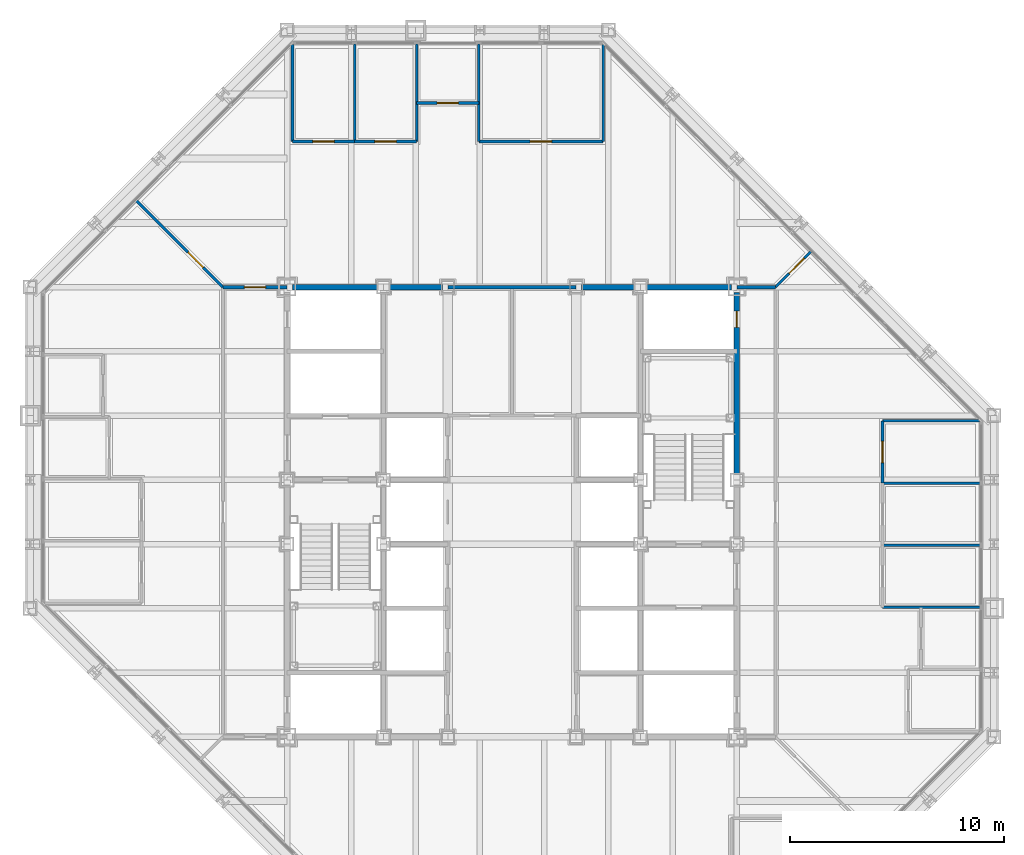
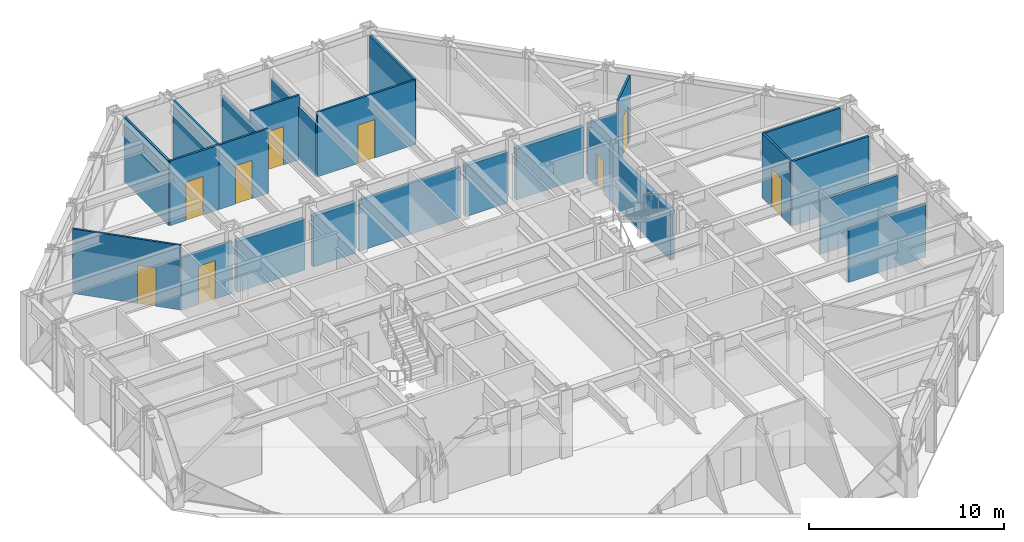
# One storey, part 12 of 15: 24 walls, 9 doors, 9 openings.
"""IFC4 building model written with IfcOpenShell, lengths in metres."""

from ifc_helpers import new_model, si_unit, direction, frame, frame_2d, origin, place, context, subcontext, project, spatial, rectangle, extrude, material, layer, layer_set, type_object, element, fill, save


model = new_model("IFC4")

# Units and contexts
model_context = context("Model", 3, precision=1e-05, world=origin(), true_north=direction((0.0, 1.0)))
body_context = subcontext(model_context, "Body", "Model", "MODEL_VIEW")
ifc_project = project(units=[si_unit("LENGTHUNIT", "METRE"), si_unit("AREAUNIT", "SQUARE_METRE"), si_unit("VOLUMEUNIT", "CUBIC_METRE"), si_unit("PLANEANGLEUNIT", "RADIAN"), si_unit("MASSUNIT", "GRAM", prefix="KILO")], contexts=[model_context])

# Site, building, storey
site_placement = place(None, origin())
site = spatial("IfcSite", under=ifc_project, at=site_placement, CompositionType="ELEMENT")
building_placement = place(site_placement, origin())
building = spatial("IfcBuilding", under=site, at=building_placement, Name="Chuquiago Exchange Tower", CompositionType="ELEMENT")
storey_placement = place(building_placement, frame((0.0, 0.0, 184.5)))
storey = spatial("IfcBuildingStorey", under=building, at=storey_placement, Name="L40", CompositionType="ELEMENT", Elevation=184.5)

# Walls
ifc_material_1 = material(Name="Concrete masonry, fully grouted", Category="masonry")
ifc_layer_1 = layer(ifc_material_1, 0.25)
ifc_layer_set_1 = layer_set([ifc_layer_1], Name="W1 core wall 250")
wall_type_1 = type_object("IfcWallType", Name="W1 core wall 250", PredefinedType="SOLIDWALL", material=ifc_layer_set_1)
wall_1_placement = place(storey_placement, frame((12.25, 33.0, 0.0), z_axis=(0.0, 0.0, 1.0), x_axis=(1.0, 0.0, 0.0)))
element("IfcWall", 1, at=wall_1_placement, inside=storey, type_object=wall_type_1, Name="CW-L40-11-0", PredefinedType="SOLIDWALL", context=body_context, shape_type="SweptSolid", body=[
    extrude(rectangle(XDim=4.0, YDim=0.25, at=frame_2d((2.0, 0.0))), origin(), (0.0, 0.0, 1.0), 3.181396484375),
])
for number, where, z_axis, x_axis, name in (
    (2, (16.75, 33.0, 0.0), (0.0, 0.0, 1.0), (1.0, 0.0, 0.0), "CW-L40-11-1"),
    (3, (25.75, 33.0, 0.0), (0.0, 0.0, 1.0), (1.0, 0.0, 0.0), "CW-L40-12-0"),
):
    element("IfcWall", number, at=place(storey_placement, frame(where, z_axis=z_axis, x_axis=x_axis)), inside=storey, type_object=wall_type_1, Name=name, PredefinedType="SOLIDWALL", context=body_context, shape_type="SweptSolid", body=[
        extrude(rectangle(XDim=2.5, YDim=0.25, at=frame_2d((1.25, 0.0))), origin(), (0.0, 0.0, 1.0), 3.181396484375),
    ])
wall_2_placement = place(storey_placement, frame((28.75, 33.0, 0.0), z_axis=(0.0, 0.0, 1.0), x_axis=(1.0, 0.0, 0.0)))
element("IfcWall", 4, at=wall_2_placement, inside=storey, type_object=wall_type_1, Name="CW-L40-12-1", PredefinedType="SOLIDWALL", context=body_context, shape_type="SweptSolid", body=[
    extrude(rectangle(XDim=4.0, YDim=0.25, at=frame_2d((2.0, 0.0))), origin(), (0.0, 0.0, 1.0), 3.181396484375),
])

# Wall, opening, door
wall_3_placement = place(storey_placement, frame((33.0, 24.25, 0.0), z_axis=(0.0, 0.0, 1.0), x_axis=(0.0, 1.0, 0.0)))
wall_3 = element("IfcWall", 5, at=wall_3_placement, inside=storey, type_object=wall_type_1, Name="CW-L40-25-2", PredefinedType="SOLIDWALL", context=body_context, shape_type="SweptSolid", body=[
    extrude(rectangle(XDim=8.5, YDim=0.25, at=frame_2d((4.25, 0.0))), origin(), (0.0, 0.0, 1.0), 3.11279296875),
])
opening_1_placement = place(wall_3_placement, frame((6.875, 0.0, 0.0)))
opening_1 = element("IfcOpeningElement", 6, at=opening_1_placement, cuts=wall_3, Name="Opening L40-010", PredefinedType="OPENING", context=body_context, shape_type="SweptSolid", body=[
    extrude(rectangle(XDim=0.75, YDim=2.10009765625, at=frame_2d((0.375, 1.050048828125))), frame((0.0, 0.135009765625, 0.0), z_axis=(0.0, -1.0, 0.0), x_axis=(1.0, 0.0, 0.0)), (0.0, 0.0, 1.0), 0.27001953125),
])
ifc_material_2 = material(Name="Steel door, painted", Category="steel")
door_type_1 = type_object("IfcDoorType", Name="D6 riser access door 750x2100", OperationType="SINGLE_SWING_LEFT", PredefinedType="DOOR", material=ifc_material_2)
door_1_placement = place(opening_1_placement, frame((0.75, 0.0, 0.0), z_axis=(0.0, 0.0, 1.0), x_axis=(-1.0, 0.0, 0.0)))
door_1 = element("IfcDoor", 7, at=door_1_placement, inside=storey, type_object=door_type_1, Name="Riser RE2 door", OperationType="SINGLE_SWING_LEFT", OverallHeight=2.10009765625, OverallWidth=0.75, PredefinedType="DOOR", context=body_context, shape_type="SweptSolid", body=[
    extrude(rectangle(XDim=0.75, YDim=2.10009765625, at=frame_2d((0.375, 1.050048828125))), frame((0.0, 0.02490234375, 0.0), z_axis=(0.0, -1.0, 0.0), x_axis=(1.0, 0.0, 0.0)), (0.0, 0.0, 1.0), 0.050048828125),
])
fill(opening_1, door_1)

ifc_material_3 = material(Name="Gypsum board on steel studs, acoustic insulation", Category="steel")
ifc_layer_2 = layer(ifc_material_3, 0.14990234375)
ifc_layer_set_2 = layer_set([ifc_layer_2], Name="W11 corridor wall 150")
wall_type_2 = type_object("IfcWallType", Name="W11 corridor wall 150", PredefinedType="PARTITIONING", material=ifc_layer_set_2)
wall_4_placement = place(storey_placement, frame((9.0, 33.0, 0.0), z_axis=(0.0, 0.0, 1.0), x_axis=(1.0, 0.0, 0.0)))
wall_4 = element("IfcWall", 8, at=wall_4_placement, inside=storey, type_object=wall_type_2, Name="PW-L40-GWN0", PredefinedType="PARTITIONING", context=body_context, shape_type="SweptSolid", body=[
    extrude(rectangle(XDim=3.0, YDim=0.14990234375, at=frame_2d((1.5, 0.0))), origin(), (0.0, 0.0, 1.0), 3.2705078125),
])
opening_2_placement = place(wall_4_placement, frame((1.0, 0.0, 0.0)))
opening_2 = element("IfcOpeningElement", 9, at=opening_2_placement, cuts=wall_4, Name="Opening L40-038", PredefinedType="OPENING", context=body_context, shape_type="SweptSolid", body=[
    extrude(rectangle(XDim=1.0, YDim=2.39990234375, at=frame_2d((0.5, 1.199951171875))), frame((0.0, 0.0849609375, 0.0), z_axis=(0.0, -1.0, 0.0), x_axis=(1.0, 0.0, 0.0)), (0.0, 0.0, 1.0), 0.169921875),
])
ifc_material_4 = material(Name="Timber door, laminate faced", Category="wood")
door_type_2 = type_object("IfcDoorType", Name="D9 room door 1000x2400", OperationType="SINGLE_SWING_LEFT", PredefinedType="DOOR", material=ifc_material_4)
door_2_placement = place(opening_2_placement, origin())
door_2 = element("IfcDoor", 10, at=door_2_placement, inside=storey, type_object=door_type_2, Name="Team area door", OperationType="SINGLE_SWING_RIGHT", OverallHeight=2.39990234375, OverallWidth=1.0, PredefinedType="DOOR", context=body_context, shape_type="SweptSolid", body=[
    extrude(rectangle(XDim=1.0, YDim=2.39990234375, at=frame_2d((0.5, 1.199951171875))), frame((0.0, 0.02490234375, 0.0), z_axis=(0.0, -1.0, 0.0), x_axis=(1.0, 0.0, 0.0)), (0.0, 0.0, 1.0), 0.050048828125),
])
fill(opening_2, door_2)

# Walls
wall_5_placement = place(storey_placement, frame((33.0, 33.0, 0.0), z_axis=(0.0, 0.0, 1.0), x_axis=(1.0, 0.0, 0.0)))
element("IfcWall", 11, at=wall_5_placement, inside=storey, type_object=wall_type_2, Name="PW-L40-GEN0", PredefinedType="PARTITIONING", context=body_context, shape_type="SweptSolid", body=[
    extrude(rectangle(XDim=1.800048828125, YDim=0.14990234375, at=frame_2d((0.89990234375, 0.0))), origin(), (0.0, 0.0, 1.0), 3.2705078125),
])
ifc_material_5 = material(Name="Gypsum board on steel studs", Category="steel")
ifc_layer_3 = layer(ifc_material_5, 0.14990234375)
ifc_layer_set_3 = layer_set([ifc_layer_3], Name="W3 core partition 150")
wall_type_3 = type_object("IfcWallType", Name="W3 core partition 150", PredefinedType="PARTITIONING", material=ifc_layer_set_3)
wall_6_placement = place(storey_placement, frame((19.5, 33.0, 0.0), z_axis=(0.0, 0.0, 1.0), x_axis=(1.0, 0.0, 0.0)))
element("IfcWall", 12, at=wall_6_placement, inside=storey, type_object=wall_type_3, Name="CW-L40-TB", PredefinedType="PARTITIONING", context=body_context, shape_type="SweptSolid", body=[
    extrude(rectangle(XDim=6.0, YDim=0.14990234375, at=frame_2d((3.0, 0.0))), origin(), (0.0, 0.0, 1.0), 3.181396484375),
])
ifc_material_6 = material(Name="Gypsum board on steel studs", Category="steel")
ifc_layer_4 = layer(ifc_material_6, 0.1201171875)
ifc_layer_set_4 = layer_set([ifc_layer_4], Name="W4 partition 120")
wall_type_4 = type_object("IfcWallType", Name="W4 partition 120", PredefinedType="PARTITIONING", material=ifc_layer_set_4)
for number, where, z_axis, x_axis, name in (
    (13, (44.347412109375, 18.0498046875, 0.0), (0.0, 0.0, 1.0), (-1.0, 0.0, 0.0), "PW-L40-E01805"),
    (14, (44.347412109375, 20.9501953125, 0.0), (0.0, 0.0, 1.0), (-1.0, 0.0, 0.0), "PW-L40-E02095"),
):
    element("IfcWall", number, at=place(storey_placement, frame(where, z_axis=z_axis, x_axis=x_axis)), inside=storey, type_object=wall_type_4, Name=name, PredefinedType="PARTITIONING", context=body_context, shape_type="SweptSolid", body=[
        extrude(rectangle(XDim=4.54736328125, YDim=0.1201171875, at=frame_2d((2.273681640625, 0.0))), origin(), (0.0, 0.0, 1.0), 3.356689453125),
    ])
wall_7_placement = place(storey_placement, frame((44.347412109375, 23.850830078125, 0.0), z_axis=(0.0, 0.0, 1.0), x_axis=(-1.0, 0.0, 0.0)))
element("IfcWall", 15, at=wall_7_placement, inside=storey, type_object=wall_type_4, Name="PW-L40-E02385", PredefinedType="PARTITIONING", context=body_context, shape_type="SweptSolid", body=[
    extrude(rectangle(XDim=4.54736328125, YDim=0.1201171875, at=frame_2d((2.273681640625, 0.0))), origin(), (0.0, 0.0, 1.0), 4.0400390625),
])
wall_8_placement = place(storey_placement, frame((44.333984375, 26.75146484375, 0.0), z_axis=(0.0, 0.0, 1.0), x_axis=(-1.0, 0.0, 0.0)))
element("IfcWall", 16, at=wall_8_placement, inside=storey, type_object=wall_type_4, Name="PW-L40-E02675", PredefinedType="PARTITIONING", context=body_context, shape_type="SweptSolid", body=[
    extrude(rectangle(XDim=4.533935546875, YDim=0.1201171875, at=frame_2d((2.26708984375, 0.0))), origin(), (0.0, 0.0, 1.0), 4.0400390625),
])

# Wall, opening, door
wall_9_placement = place(storey_placement, frame((39.800048828125, 23.850830078125, 0.0), z_axis=(0.0, 0.0, 1.0), x_axis=(0.0, 1.0, 0.0)))
wall_9 = element("IfcWall", 17, at=wall_9_placement, inside=storey, type_object=wall_type_4, Name="PW-L40-EF02385", PredefinedType="PARTITIONING", context=body_context, shape_type="SweptSolid", body=[
    extrude(rectangle(XDim=2.900634765625, YDim=0.1201171875, at=frame_2d((1.4501953125, 0.0))), origin(), (0.0, 0.0, 1.0), 4.0400390625),
])
opening_3_placement = place(wall_9_placement, frame((0.9501953125, 0.0, 0.0)))
opening_3 = element("IfcOpeningElement", 18, at=opening_3_placement, cuts=wall_9, Name="Opening L40-028", PredefinedType="OPENING", context=body_context, shape_type="SweptSolid", body=[
    extrude(rectangle(XDim=1.0, YDim=2.39990234375, at=frame_2d((0.5, 1.199951171875))), frame((0.0, 0.070068359375, 0.0), z_axis=(0.0, -1.0, 0.0), x_axis=(1.0, 0.0, 0.0)), (0.0, 0.0, 1.0), 0.14013671875),
])
ifc_material_7 = material(Name="Timber frame door, full height glazed panel", Category="wood")
door_type_3 = type_object("IfcDoorType", Name="D14 glazed meeting room door 1000x2400", OperationType="SINGLE_SWING_LEFT", PredefinedType="DOOR", material=ifc_material_7)
door_3_placement = place(opening_3_placement, frame((1.0, 0.0, 0.0), z_axis=(0.0, 0.0, 1.0), x_axis=(-1.0, 0.0, 0.0)))
door_3 = element("IfcDoor", 19, at=door_3_placement, inside=storey, type_object=door_type_3, Name="Meeting room door", OperationType="SINGLE_SWING_RIGHT", OverallHeight=2.39990234375, OverallWidth=1.0, PredefinedType="DOOR", context=body_context, shape_type="SweptSolid", body=[
    extrude(rectangle(XDim=1.0, YDim=2.39990234375, at=frame_2d((0.5, 1.199951171875))), frame((0.0, 0.02490234375, 0.0), z_axis=(0.0, -1.0, 0.0), x_axis=(1.0, 0.0, 0.0)), (0.0, 0.0, 1.0), 0.050048828125),
])
fill(opening_3, door_3)

# Walls
wall_10_placement = place(storey_placement, frame((12.24853515625, 44.333984375, 0.0), z_axis=(0.0, 0.0, 1.0), x_axis=(0.0, -1.0, 0.0)))
element("IfcWall", 20, at=wall_10_placement, inside=storey, type_object=wall_type_4, Name="PW-L40-N01225", PredefinedType="PARTITIONING", context=body_context, shape_type="SweptSolid", body=[
    extrude(rectangle(XDim=4.533935546875, YDim=0.1201171875, at=frame_2d((2.26708984375, 0.0))), origin(), (0.0, 0.0, 1.0), 4.0400390625),
])
wall_11_placement = place(storey_placement, frame((15.149169921875, 44.347412109375, 0.0), z_axis=(0.0, 0.0, 1.0), x_axis=(0.0, -1.0, 0.0)))
element("IfcWall", 21, at=wall_11_placement, inside=storey, type_object=wall_type_4, Name="PW-L40-N01515", PredefinedType="PARTITIONING", context=body_context, shape_type="SweptSolid", body=[
    extrude(rectangle(XDim=4.54736328125, YDim=0.1201171875, at=frame_2d((2.273681640625, 0.0))), origin(), (0.0, 0.0, 1.0), 4.0400390625),
])
for number, where, z_axis, x_axis, name in (
    (22, (18.0498046875, 44.347412109375, 0.0), (0.0, 0.0, 1.0), (0.0, -1.0, 0.0), "PW-L40-N01805"),
    (23, (20.9501953125, 44.347412109375, 0.0), (0.0, 0.0, 1.0), (0.0, -1.0, 0.0), "PW-L40-N02095"),
):
    element("IfcWall", number, at=place(storey_placement, frame(where, z_axis=z_axis, x_axis=x_axis)), inside=storey, type_object=wall_type_4, Name=name, PredefinedType="PARTITIONING", context=body_context, shape_type="SweptSolid", body=[
        extrude(rectangle(XDim=4.54736328125, YDim=0.1201171875, at=frame_2d((2.273681640625, 0.0))), origin(), (0.0, 0.0, 1.0), 3.356689453125),
    ])
wall_12_placement = place(storey_placement, frame((26.75146484375, 44.333984375, 0.0), z_axis=(0.0, 0.0, 1.0), x_axis=(0.0, -1.0, 0.0)))
element("IfcWall", 24, at=wall_12_placement, inside=storey, type_object=wall_type_4, Name="PW-L40-N02675", PredefinedType="PARTITIONING", context=body_context, shape_type="SweptSolid", body=[
    extrude(rectangle(XDim=4.533935546875, YDim=0.1201171875, at=frame_2d((2.26708984375, 0.0))), origin(), (0.0, 0.0, 1.0), 4.0400390625),
])

# Wall, opening, door
wall_13_placement = place(storey_placement, frame((12.24853515625, 39.800048828125, 0.0), z_axis=(0.0, 0.0, 1.0), x_axis=(1.0, 0.0, 0.0)))
wall_13 = element("IfcWall", 25, at=wall_13_placement, inside=storey, type_object=wall_type_4, Name="PW-L40-NF01225", PredefinedType="PARTITIONING", context=body_context, shape_type="SweptSolid", body=[
    extrude(rectangle(XDim=2.900634765625, YDim=0.1201171875, at=frame_2d((1.4501953125, 0.0))), origin(), (0.0, 0.0, 1.0), 4.0400390625),
])
opening_4_placement = place(wall_13_placement, frame((0.9501953125, 0.0, 0.0)))
opening_4 = element("IfcOpeningElement", 26, at=opening_4_placement, cuts=wall_13, Name="Opening L40-029", PredefinedType="OPENING", context=body_context, shape_type="SweptSolid", body=[
    extrude(rectangle(XDim=1.0, YDim=2.39990234375, at=frame_2d((0.5, 1.199951171875))), frame((0.0, 0.070068359375, 0.0), z_axis=(0.0, -1.0, 0.0), x_axis=(1.0, 0.0, 0.0)), (0.0, 0.0, 1.0), 0.14013671875),
])
door_4_placement = place(opening_4_placement, origin())
door_4 = element("IfcDoor", 27, at=door_4_placement, inside=storey, type_object=door_type_2, Name="Office door", OperationType="SINGLE_SWING_LEFT", OverallHeight=2.39990234375, OverallWidth=1.0, PredefinedType="DOOR", context=body_context, shape_type="SweptSolid", body=[
    extrude(rectangle(XDim=1.0, YDim=2.39990234375, at=frame_2d((0.5, 1.199951171875))), frame((0.0, 0.02490234375, 0.0), z_axis=(0.0, -1.0, 0.0), x_axis=(1.0, 0.0, 0.0)), (0.0, 0.0, 1.0), 0.050048828125),
])
fill(opening_4, door_4)

wall_14_placement = place(storey_placement, frame((15.149169921875, 39.800048828125, 0.0), z_axis=(0.0, 0.0, 1.0), x_axis=(1.0, 0.0, 0.0)))
wall_14 = element("IfcWall", 28, at=wall_14_placement, inside=storey, type_object=wall_type_4, Name="PW-L40-NF01515", PredefinedType="PARTITIONING", context=body_context, shape_type="SweptSolid", body=[
    extrude(rectangle(XDim=2.900634765625, YDim=0.1201171875, at=frame_2d((1.4501953125, 0.0))), origin(), (0.0, 0.0, 1.0), 4.0400390625),
])
opening_5_placement = place(wall_14_placement, frame((0.9501953125, 0.0, 0.0)))
opening_5 = element("IfcOpeningElement", 29, at=opening_5_placement, cuts=wall_14, Name="Opening L40-030", PredefinedType="OPENING", context=body_context, shape_type="SweptSolid", body=[
    extrude(rectangle(XDim=1.0, YDim=2.39990234375, at=frame_2d((0.5, 1.199951171875))), frame((0.0, 0.070068359375, 0.0), z_axis=(0.0, -1.0, 0.0), x_axis=(1.0, 0.0, 0.0)), (0.0, 0.0, 1.0), 0.14013671875),
])
door_5_placement = place(opening_5_placement, origin())
door_5 = element("IfcDoor", 30, at=door_5_placement, inside=storey, type_object=door_type_2, Name="Office door", OperationType="SINGLE_SWING_LEFT", OverallHeight=2.39990234375, OverallWidth=1.0, PredefinedType="DOOR", context=body_context, shape_type="SweptSolid", body=[
    extrude(rectangle(XDim=1.0, YDim=2.39990234375, at=frame_2d((0.5, 1.199951171875))), frame((0.0, 0.02490234375, 0.0), z_axis=(0.0, -1.0, 0.0), x_axis=(1.0, 0.0, 0.0)), (0.0, 0.0, 1.0), 0.050048828125),
])
fill(opening_5, door_5)

wall_15_placement = place(storey_placement, frame((18.0498046875, 41.60009765625, 0.0), z_axis=(0.0, 0.0, 1.0), x_axis=(1.0, 0.0, 0.0)))
wall_15 = element("IfcWall", 31, at=wall_15_placement, inside=storey, type_object=wall_type_4, Name="PW-L40-NF01805", PredefinedType="PARTITIONING", context=body_context, shape_type="SweptSolid", body=[
    extrude(rectangle(XDim=2.900390625, YDim=0.1201171875, at=frame_2d((1.4501953125, 0.0))), origin(), (0.0, 0.0, 1.0), 4.0400390625),
])
opening_6_placement = place(wall_15_placement, frame((0.9501953125, 0.0, 0.0)))
opening_6 = element("IfcOpeningElement", 32, at=opening_6_placement, cuts=wall_15, Name="Opening L40-031", PredefinedType="OPENING", context=body_context, shape_type="SweptSolid", body=[
    extrude(rectangle(XDim=1.0, YDim=2.39990234375, at=frame_2d((0.5, 1.199951171875))), frame((0.0, 0.070068359375, 0.0), z_axis=(0.0, -1.0, 0.0), x_axis=(1.0, 0.0, 0.0)), (0.0, 0.0, 1.0), 0.14013671875),
])
door_6_placement = place(opening_6_placement, origin())
door_6 = element("IfcDoor", 33, at=door_6_placement, inside=storey, type_object=door_type_3, Name="Focus room door", OperationType="SINGLE_SWING_RIGHT", OverallHeight=2.39990234375, OverallWidth=1.0, PredefinedType="DOOR", context=body_context, shape_type="SweptSolid", body=[
    extrude(rectangle(XDim=1.0, YDim=2.39990234375, at=frame_2d((0.5, 1.199951171875))), frame((0.0, 0.02490234375, 0.0), z_axis=(0.0, -1.0, 0.0), x_axis=(1.0, 0.0, 0.0)), (0.0, 0.0, 1.0), 0.050048828125),
])
fill(opening_6, door_6)

wall_16_placement = place(storey_placement, frame((20.9501953125, 39.800048828125, 0.0), z_axis=(0.0, 0.0, 1.0), x_axis=(1.0, 0.0, 0.0)))
wall_16 = element("IfcWall", 34, at=wall_16_placement, inside=storey, type_object=wall_type_4, Name="PW-L40-NF02095", PredefinedType="PARTITIONING", context=body_context, shape_type="SweptSolid", body=[
    extrude(rectangle(XDim=5.80126953125, YDim=0.1201171875, at=frame_2d((2.900634765625, 0.0))), origin(), (0.0, 0.0, 1.0), 4.0400390625),
])
opening_7_placement = place(wall_16_placement, frame((2.400634765625, 0.0, 0.0)))
opening_7 = element("IfcOpeningElement", 35, at=opening_7_placement, cuts=wall_16, Name="Opening L40-032", PredefinedType="OPENING", context=body_context, shape_type="SweptSolid", body=[
    extrude(rectangle(XDim=1.0, YDim=2.39990234375, at=frame_2d((0.5, 1.199951171875))), frame((0.0, 0.070068359375, 0.0), z_axis=(0.0, -1.0, 0.0), x_axis=(1.0, 0.0, 0.0)), (0.0, 0.0, 1.0), 0.14013671875),
])
door_7_placement = place(opening_7_placement, origin())
door_7 = element("IfcDoor", 36, at=door_7_placement, inside=storey, type_object=door_type_3, Name="Meeting room door", OperationType="SINGLE_SWING_LEFT", OverallHeight=2.39990234375, OverallWidth=1.0, PredefinedType="DOOR", context=body_context, shape_type="SweptSolid", body=[
    extrude(rectangle(XDim=1.0, YDim=2.39990234375, at=frame_2d((0.5, 1.199951171875))), frame((0.0, 0.02490234375, 0.0), z_axis=(0.0, -1.0, 0.0), x_axis=(1.0, 0.0, 0.0)), (0.0, 0.0, 1.0), 0.050048828125),
])
fill(opening_7, door_7)

wall_17_placement = place(storey_placement, frame((34.800048828125, 33.0, 0.0), z_axis=(0.0, 0.0, 1.0), x_axis=(0.707106781187, 0.707106781187, 0.0)))
wall_17 = element("IfcWall", 37, at=wall_17_placement, inside=storey, type_object=wall_type_4, Name="PW-L40-QNE", PredefinedType="PARTITIONING", context=body_context, shape_type="SweptSolid", body=[
    extrude(rectangle(XDim=2.337890625, YDim=0.1201171875, at=frame_2d((1.1689453125, 0.0))), origin(), (0.0, 0.0, 1.0), 4.0400390625),
])
opening_8_placement = place(wall_17_placement, frame((0.89990234375, 0.0, 0.0)))
opening_8 = element("IfcOpeningElement", 38, at=opening_8_placement, cuts=wall_17, Name="Opening L40-041", PredefinedType="OPENING", context=body_context, shape_type="SweptSolid", body=[
    extrude(rectangle(XDim=1.0, YDim=2.39990234375, at=frame_2d((0.5, 1.199951171875))), frame((0.0, 0.070068359375, 0.0), z_axis=(0.0, -1.0, 0.0), x_axis=(1.0, 0.0, 0.0)), (0.0, 0.0, 1.0), 0.14013671875),
])
door_8_placement = place(opening_8_placement, frame((1.0, 0.0, 0.0), z_axis=(0.0, 0.0, 1.0), x_axis=(-1.0, 0.0, 0.0)))
door_8 = element("IfcDoor", 39, at=door_8_placement, inside=storey, type_object=door_type_2, Name="Team area door", OperationType="SINGLE_SWING_LEFT", OverallHeight=2.39990234375, OverallWidth=1.0, PredefinedType="DOOR", context=body_context, shape_type="SweptSolid", body=[
    extrude(rectangle(XDim=1.0, YDim=2.39990234375, at=frame_2d((0.5, 1.199951171875))), frame((0.0, 0.02490234375, 0.0), z_axis=(0.0, -1.0, 0.0), x_axis=(1.0, 0.0, 0.0)), (0.0, 0.0, 1.0), 0.050048828125),
])
fill(opening_8, door_8)

wall_18_placement = place(storey_placement, frame((9.0, 33.0, 0.0), z_axis=(0.0, 0.0, 1.0), x_axis=(-0.707106781187, 0.707106781187, 0.0)))
wall_18 = element("IfcWall", 40, at=wall_18_placement, inside=storey, type_object=wall_type_4, Name="PW-L40-QNW", PredefinedType="PARTITIONING", context=body_context, shape_type="SweptSolid", body=[
    extrude(rectangle(XDim=5.731689453125, YDim=0.1201171875, at=frame_2d((2.86572265625, 0.0))), origin(), (0.0, 0.0, 1.0), 4.0400390625),
])
opening_9_placement = place(wall_18_placement, frame((1.300048828125, 0.0, 0.0)))
opening_9 = element("IfcOpeningElement", 41, at=opening_9_placement, cuts=wall_18, Name="Opening L40-042", PredefinedType="OPENING", context=body_context, shape_type="SweptSolid", body=[
    extrude(rectangle(XDim=1.0, YDim=2.39990234375, at=frame_2d((0.5, 1.199951171875))), frame((0.0, 0.070068359375, 0.0), z_axis=(0.0, -1.0, 0.0), x_axis=(1.0, 0.0, 0.0)), (0.0, 0.0, 1.0), 0.14013671875),
])
door_9_placement = place(opening_9_placement, frame((1.0, 0.0, 0.0), z_axis=(0.0, 0.0, 1.0), x_axis=(-1.0, 0.0, 0.0)))
door_9 = element("IfcDoor", 42, at=door_9_placement, inside=storey, type_object=door_type_2, Name="Team area door", OperationType="SINGLE_SWING_RIGHT", OverallHeight=2.39990234375, OverallWidth=1.0, PredefinedType="DOOR", context=body_context, shape_type="SweptSolid", body=[
    extrude(rectangle(XDim=1.0, YDim=2.39990234375, at=frame_2d((0.5, 1.199951171875))), frame((0.0, 0.02490234375, 0.0), z_axis=(0.0, -1.0, 0.0), x_axis=(1.0, 0.0, 0.0)), (0.0, 0.0, 1.0), 0.050048828125),
])
fill(opening_9, door_9)

save(model, "model.ifc")
